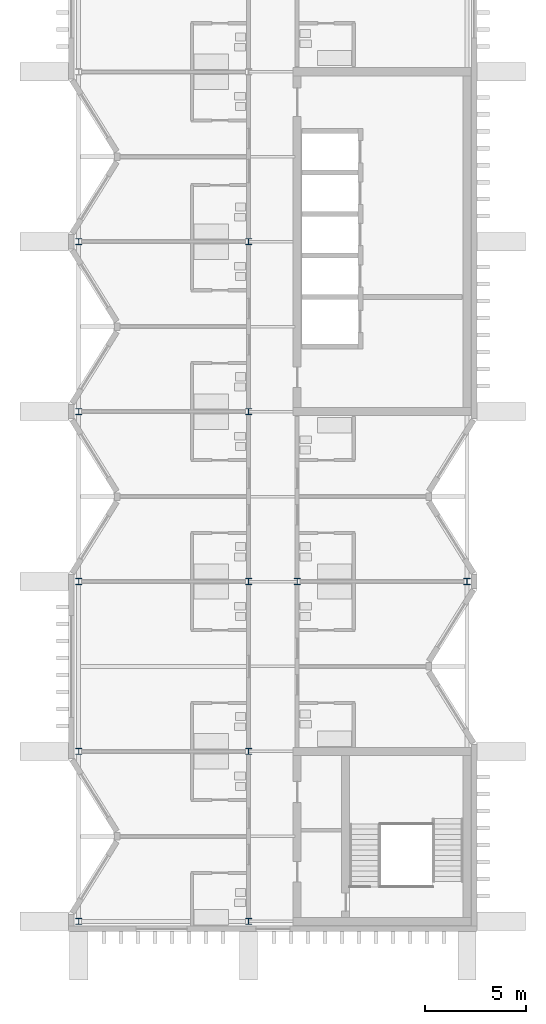
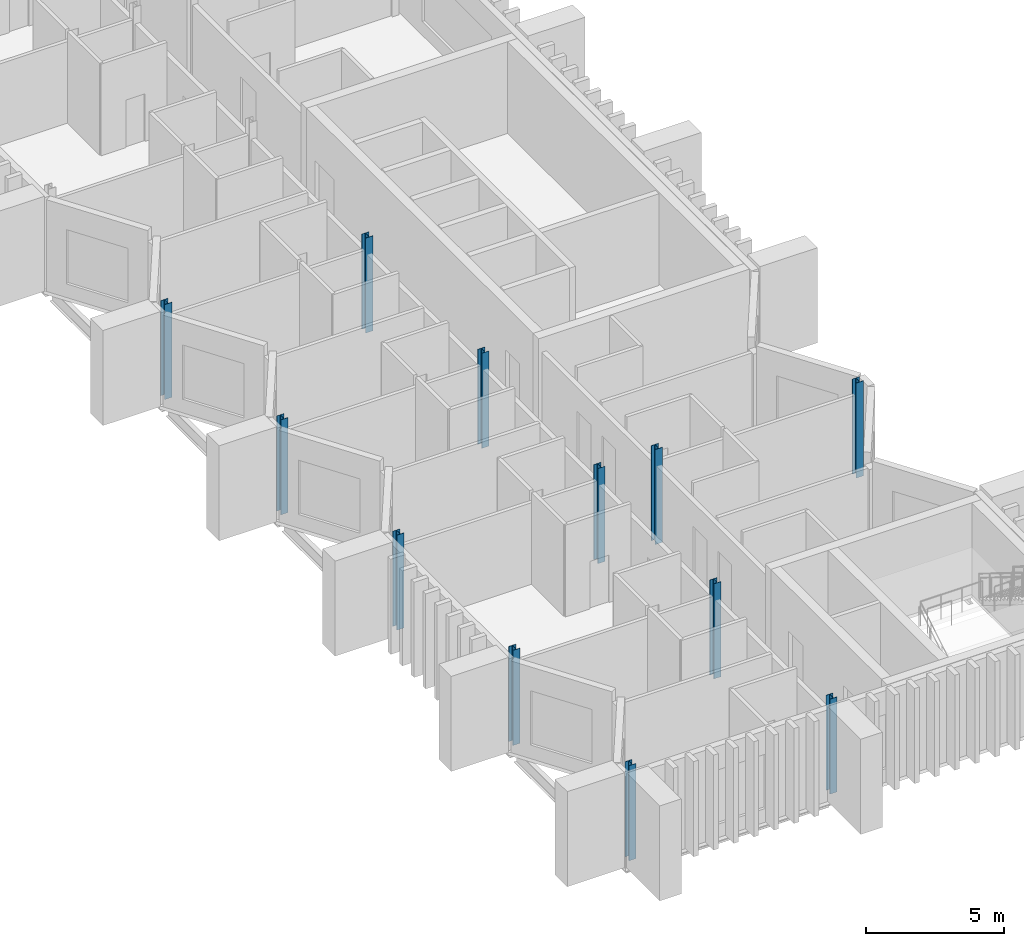
# One storey, part 1 of 10: 12 columns.
"""IFC4 building model written with IfcOpenShell, lengths in metres."""

from ifc_helpers import new_model, si_unit, direction, frame, origin, origin_2d, place, context, subcontext, project, spatial, i_section, extrude, material, material_profile, profile_set, type_object, element, save


model = new_model("IFC4")

# Units and contexts
model_context = context("Model", 3, precision=1e-05, world=origin(), true_north=direction((0.0, 1.0)))
body_context = subcontext(model_context, "Body", "Model", "MODEL_VIEW")
ifc_project = project(units=[si_unit("LENGTHUNIT", "METRE"), si_unit("AREAUNIT", "SQUARE_METRE"), si_unit("VOLUMEUNIT", "CUBIC_METRE"), si_unit("PLANEANGLEUNIT", "RADIAN"), si_unit("MASSUNIT", "GRAM", prefix="KILO")], contexts=[model_context])

# Site, building, storey
site_placement = place(None, origin())
site = spatial("IfcSite", under=ifc_project, at=site_placement, CompositionType="ELEMENT")
building_placement = place(site_placement, origin())
building = spatial("IfcBuilding", under=site, at=building_placement, Name="Cresset Court Congress Hotel", CompositionType="ELEMENT")
storey_placement = place(building_placement, frame((0.0, 0.0, 56.39990234375)))
storey = spatial("IfcBuildingStorey", under=building, at=storey_placement, Name="L13", CompositionType="ELEMENT", Elevation=56.39990234375)

# Columns
ifc_material = material(Name="Structural steel Q355B", Category="steel")
ifc_material_profile = material_profile(ifc_material, i_section(OverallWidth=0.300048828125, OverallDepth=0.300048828125, WebThickness=0.010009765625, FlangeThickness=0.014892578125, FilletRadius=0.012939453125, at=origin_2d()), Name="HW300x300x10x15")
ifc_profile_set = profile_set([ifc_material_profile], Name="Structural steel Q355B")
column_type = type_object("IfcColumnType", Name="Steel column HW300x300x10x15", PredefinedType="COLUMN", material=ifc_profile_set)
for number, where, z_axis, x_axis, name in (
    (1, (157.199951171875, 0.0, 0.0), (0.0, 0.0, 1.0), (1.0, 0.0, 0.0), "Column L13 1-20"),
    (2, (157.199951171875, 8.39990234375, 0.0), (0.0, 0.0, 1.0), (1.0, 0.0, 0.0), "Column L13 2-20"),
    (3, (157.199951171875, 16.800048828125, 0.0), (0.0, 0.0, 1.0), (1.0, 0.0, 0.0), "Column L13 3-20"),
    (4, (157.199951171875, 25.199951171875, 0.0), (0.0, 0.0, 1.0), (1.0, 0.0, 0.0), "Column L13 4-20"),
    (5, (157.199951171875, 33.60009765625, 0.0), (0.0, 0.0, 1.0), (1.0, 0.0, 0.0), "Column L13 5-20"),
    (6, (165.60009765625, 0.0, 0.0), (0.0, 0.0, 1.0), (1.0, 0.0, 0.0), "Column L13 1-21"),
    (7, (165.60009765625, 8.39990234375, 0.0), (0.0, 0.0, 1.0), (1.0, 0.0, 0.0), "Column L13 2-21"),
    (8, (165.60009765625, 16.800048828125, 0.0), (0.0, 0.0, 1.0), (1.0, 0.0, 0.0), "Column L13 3-21"),
    (9, (165.60009765625, 25.199951171875, 0.0), (0.0, 0.0, 1.0), (1.0, 0.0, 0.0), "Column L13 4-21"),
    (10, (165.60009765625, 33.60009765625, 0.0), (0.0, 0.0, 1.0), (1.0, 0.0, 0.0), "Column L13 5-21"),
    (11, (168.0, 16.800048828125, 0.0), (0.0, 0.0, 1.0), (1.0, 0.0, 0.0), "Column L13 3-22"),
    (12, (176.39990234375, 16.800048828125, 0.0), (0.0, 0.0, 1.0), (1.0, 0.0, 0.0), "Column L13 3-23"),
):
    element("IfcColumn", number, at=place(storey_placement, frame(where, z_axis=z_axis, x_axis=x_axis)), inside=storey, type_object=column_type, Name=name, PredefinedType="COLUMN", context=body_context, shape_type="SweptSolid", body=[
        extrude(i_section(OverallWidth=0.300048828125, OverallDepth=0.300048828125, WebThickness=0.010009765625, FlangeThickness=0.014892578125, FilletRadius=0.012939453125, at=origin_2d()), origin(), (0.0, 0.0, 1.0), 4.2001953125),
    ])

save(model, "model.ifc")
